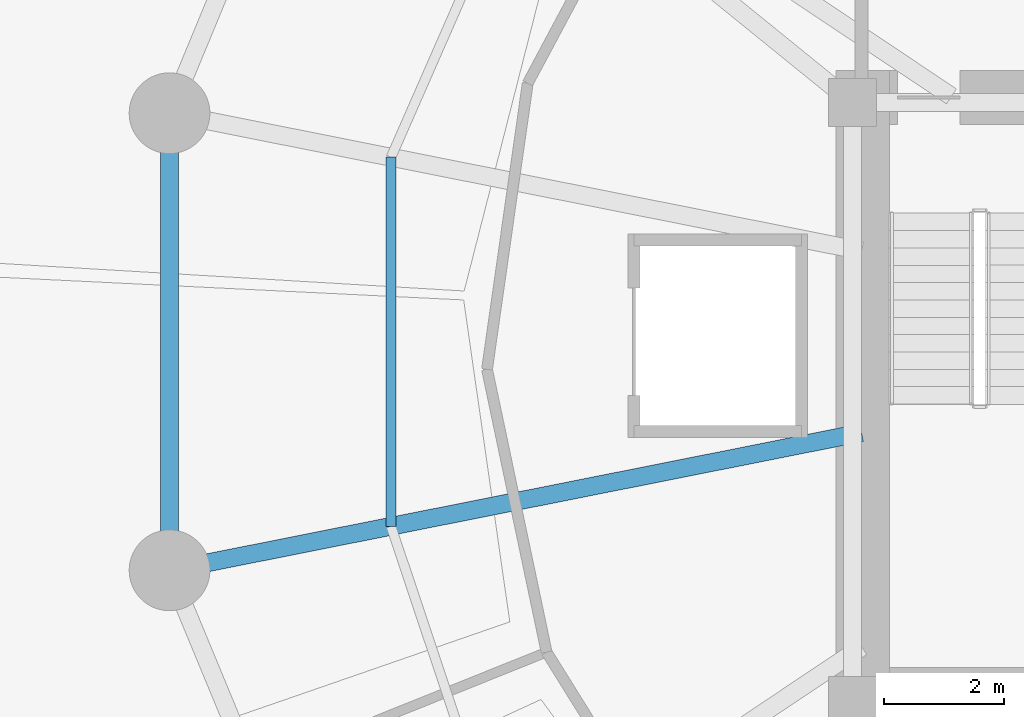
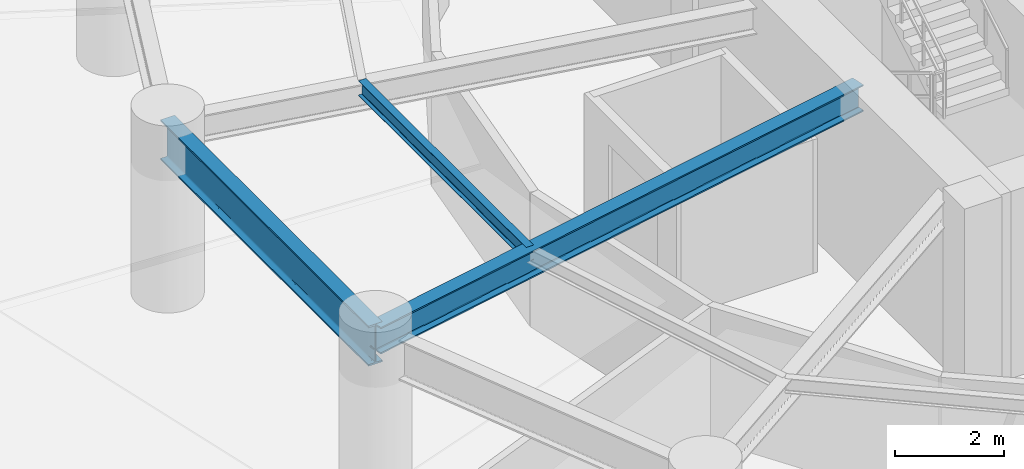
# One storey, part 5 of 15: 3 beams.
"""IFC4 building model written with IfcOpenShell, lengths in metres."""

from ifc_helpers import new_model, si_unit, direction, frame, origin, origin_2d, place, context, subcontext, project, spatial, i_section, extrude, material, material_profile, profile_set, type_object, element, save


model = new_model("IFC4")

# Units and contexts
model_context = context("Model", 3, precision=1e-05, world=origin(), true_north=direction((0.0, 1.0)))
body_context = subcontext(model_context, "Body", "Model", "MODEL_VIEW")
ifc_project = project(units=[si_unit("LENGTHUNIT", "METRE"), si_unit("AREAUNIT", "SQUARE_METRE"), si_unit("VOLUMEUNIT", "CUBIC_METRE"), si_unit("PLANEANGLEUNIT", "RADIAN"), si_unit("MASSUNIT", "GRAM", prefix="KILO"), si_unit("THERMODYNAMICTEMPERATUREUNIT", "KELVIN"), si_unit("POWERUNIT", "WATT")], contexts=[model_context])

# Site, building, storey
site_placement = place(None, origin())
site = spatial("IfcSite", under=ifc_project, at=site_placement, CompositionType="ELEMENT")
building_placement = place(site_placement, origin())
building = spatial("IfcBuilding", under=site, at=building_placement, Name="Ocrelia Relay Tower", CompositionType="ELEMENT")
storey_placement = place(building_placement, frame((0.0, 0.0, 38.39990234375)))
storey = spatial("IfcBuildingStorey", under=building, at=storey_placement, Name="L08", CompositionType="ELEMENT", Elevation=38.39990234375)

# Beams
ifc_material = material(Name="Steel S355", Category="steel")
ifc_material_profile_1 = material_profile(ifc_material, i_section(OverallWidth=0.300048828125, OverallDepth=0.60009765625, WebThickness=0.015380859375, FlangeThickness=0.030029296875, FilletRadius=0.027099609375, at=origin_2d()), Name="HEB 600")
ifc_profile_set_1 = profile_set([ifc_material_profile_1], Name="Steel S355")
beam_type_1 = type_object("IfcBeamType", Name="BM-HEB600", PredefinedType="BEAM", material=ifc_profile_set_1)
beam_1_placement = place(storey_placement, frame((14.776611328125, 22.17626953125, 3.6201171875), z_axis=(0.980786938484, 0.195081986098, 0.0), x_axis=(-0.195081986098, 0.980786938484, 0.0)))
element("IfcBeam", 1, at=beam_1_placement, inside=storey, type_object=beam_type_1, Name="L08 Radial Floor Girder R09", PredefinedType="BEAM", context=body_context, shape_type="SweptSolid", body=[
    extrude(i_section(OverallWidth=0.300048828125, OverallDepth=0.60009765625, WebThickness=0.015380859375, FlangeThickness=0.030029296875, FilletRadius=0.027099609375, at=origin_2d()), origin(), (0.0, 0.0, 1.0), 11.80517578125),
])
ifc_material_profile_2 = material_profile(ifc_material, i_section(OverallWidth=0.300048828125, OverallDepth=0.89990234375, WebThickness=0.0185546875, FlangeThickness=0.034912109375, FilletRadius=0.030029296875, at=origin_2d()), Name="HEB 900")
ifc_profile_set_2 = profile_set([ifc_material_profile_2], Name="Steel S355")
beam_type_2 = type_object("IfcBeamType", Name="BM-HEB900", PredefinedType="BEAM", material=ifc_profile_set_2)
beam_2_placement = place(storey_placement, frame((14.776611328125, 29.82373046875, 3.47021484375), z_axis=(0.0, -1.0, 0.0), x_axis=(1.0, 0.0, 0.0)))
element("IfcBeam", 2, at=beam_2_placement, inside=storey, type_object=beam_type_2, Name="L08 Perimeter Spandrel Beam S08", PredefinedType="BEAM", context=body_context, shape_type="SweptSolid", body=[
    extrude(i_section(OverallWidth=0.300048828125, OverallDepth=0.89990234375, WebThickness=0.0185546875, FlangeThickness=0.034912109375, FilletRadius=0.030029296875, at=origin_2d()), origin(), (0.0, 0.0, 1.0), 7.6474609375),
])
ifc_material_profile_3 = material_profile(ifc_material, i_section(OverallWidth=0.159912109375, OverallDepth=0.330078125, WebThickness=0.007568359375, FlangeThickness=0.011474609375, FilletRadius=0.01806640625, at=origin_2d()), Name="IPE 330")
ifc_profile_set_3 = profile_set([ifc_material_profile_3], Name="Steel S355")
beam_type_3 = type_object("IfcBeamType", Name="BM-IPE330", PredefinedType="JOIST", material=ifc_profile_set_3)
beam_3_placement = place(storey_placement, frame((18.481689453125, 29.0869140625, 3.755126953125), z_axis=(0.0, -1.0, 0.0), x_axis=(1.0, 0.0, 0.0)))
element("IfcBeam", 3, at=beam_3_placement, inside=storey, type_object=beam_type_3, Name="L08 Secondary Floor Joist J08", PredefinedType="JOIST", context=body_context, shape_type="SweptSolid", body=[
    extrude(i_section(OverallWidth=0.159912109375, OverallDepth=0.330078125, WebThickness=0.007568359375, FlangeThickness=0.011474609375, FilletRadius=0.01806640625, at=origin_2d()), origin(), (0.0, 0.0, 1.0), 6.173828125),
])

save(model, "model.ifc")
